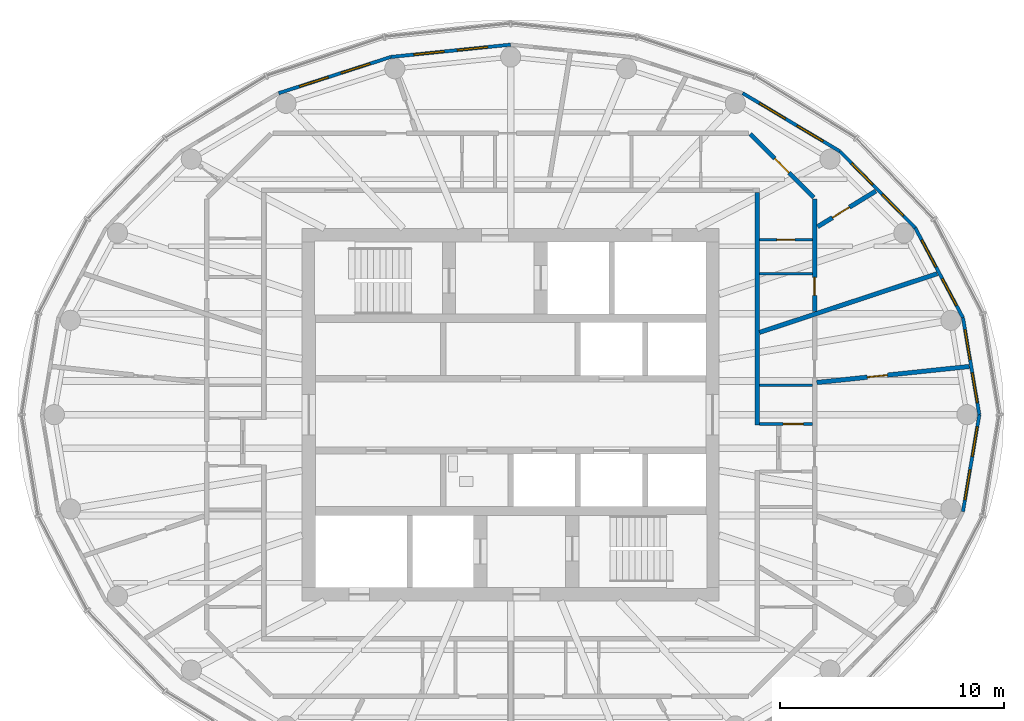
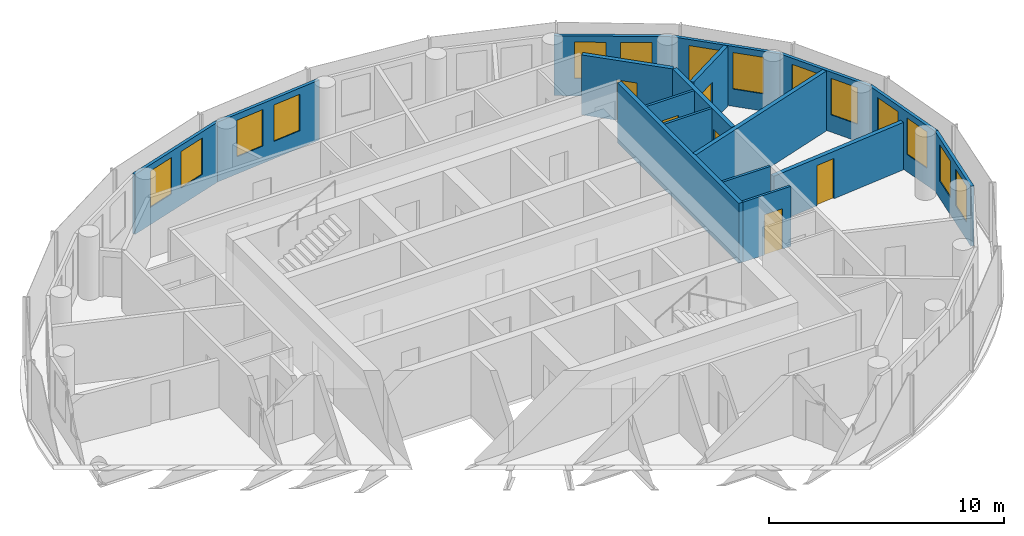
# One storey, part 9 of 12: 17 walls, 14 windows, 6 doors, 20 openings.
"""IFC4 building model written with IfcOpenShell, lengths in metres."""

from ifc_helpers import new_model, si_unit, direction, frame, frame_2d, origin, place, context, subcontext, project, spatial, rectangle, extrude, material, layer, layer_set, type_object, element, fill, save


model = new_model("IFC4")

# Units and contexts
model_context = context("Model", 3, precision=1e-05, world=origin(), true_north=direction((0.0, 1.0)))
body_context = subcontext(model_context, "Body", "Model", "MODEL_VIEW")
ifc_project = project(units=[si_unit("LENGTHUNIT", "METRE"), si_unit("AREAUNIT", "SQUARE_METRE"), si_unit("VOLUMEUNIT", "CUBIC_METRE"), si_unit("PLANEANGLEUNIT", "RADIAN"), si_unit("MASSUNIT", "GRAM", prefix="KILO")], contexts=[model_context])

# Site, building, storey
site_placement = place(None, origin())
site = spatial("IfcSite", under=ifc_project, at=site_placement, CompositionType="ELEMENT")
building_placement = place(site_placement, origin())
building = spatial("IfcBuilding", under=site, at=building_placement, Name="Hankou Lantern Tower", CompositionType="ELEMENT")
storey_placement = place(building_placement, frame((0.0, 0.0, 216.0)))
storey = spatial("IfcBuildingStorey", under=building, at=storey_placement, Name="L58", CompositionType="ELEMENT", Elevation=216.0)

# Wall, openings, windows
ifc_material_1 = material(Name="Aluminium spandrel panel on steel studs", Category="steel")
ifc_layer_1 = layer(ifc_material_1, 0.14990234375)
ifc_layer_set_1 = layer_set([ifc_layer_1], Name="Aluminium spandrel panel on steel studs")
wall_type_1 = type_object("IfcWallType", Name="EW1 INNER SKIN WALL 150", PredefinedType="ELEMENTEDWALL", material=ifc_layer_set_1)
wall_1_placement = place(storey_placement, frame((20.89990234375, 0.0, 0.0), z_axis=(0.0, 0.0, 1.0), x_axis=(-0.166538513568, 0.986034950445, 0.0)))
wall_1 = element("IfcWall", 1, at=wall_1_placement, inside=storey, type_object=wall_type_1, Name="Inner skin R01-R02 L58", PredefinedType="ELEMENTEDWALL", context=body_context, shape_type="SweptSolid", body=[
    extrude(rectangle(XDim=4.384765625, YDim=0.14990234375, at=frame_2d((2.1923828125, 0.0))), origin(), (0.0, 0.0, 1.0), 3.1201171875),
])
opening_1_placement = place(wall_1_placement, frame((0.54248046875, 0.0, 0.89990234375)))
opening_1 = element("IfcOpeningElement", 2, at=opening_1_placement, cuts=wall_1, Name="Opening W4", PredefinedType="OPENING", context=body_context, shape_type="SweptSolid", body=[
    extrude(rectangle(XDim=1.35009765625, YDim=1.89990234375, at=frame_2d((0.675048828125, 0.949951171875))), frame((0.0, 0.0849609375, 0.0), z_axis=(0.0, -1.0, 0.0), x_axis=(1.0, 0.0, 0.0)), (0.0, 0.0, 1.0), 0.169921875),
])
opening_2_placement = place(wall_1_placement, frame((2.492431640625, 0.0, 0.89990234375)))
opening_2 = element("IfcOpeningElement", 3, at=opening_2_placement, cuts=wall_1, Name="Opening W4", PredefinedType="OPENING", context=body_context, shape_type="SweptSolid", body=[
    extrude(rectangle(XDim=1.35009765625, YDim=1.89990234375, at=frame_2d((0.675048828125, 0.949951171875))), frame((0.0, 0.0849609375, 0.0), z_axis=(0.0, -1.0, 0.0), x_axis=(1.0, 0.0, 0.0)), (0.0, 0.0, 1.0), 0.169921875),
])
ifc_material_2 = material(Name="Aluminium framed double glazed window", Category="aluminium")
window_type = type_object("IfcWindowType", Name="W4 SUITE WINDOW 1350X1900", PartitioningType="DOUBLE_PANEL_VERTICAL", PredefinedType="WINDOW", material=ifc_material_2)
window_1_placement = place(opening_1_placement, origin())
window_1 = element("IfcWindow", 4, at=window_1_placement, inside=storey, type_object=window_type, Name="Window R01.1 L58", OverallHeight=1.89990234375, OverallWidth=1.35009765625, PartitioningType="SINGLE_PANEL", PredefinedType="WINDOW", context=body_context, shape_type="SweptSolid", body=[
    extrude(rectangle(XDim=1.35009765625, YDim=1.89990234375, at=frame_2d((0.675048828125, 0.949951171875))), frame((0.0, 0.030029296875, 0.0), z_axis=(0.0, -1.0, 0.0), x_axis=(1.0, 0.0, 0.0)), (0.0, 0.0, 1.0), 0.06005859375),
])
fill(opening_1, window_1)
window_2_placement = place(opening_2_placement, origin())
window_2 = element("IfcWindow", 5, at=window_2_placement, inside=storey, type_object=window_type, Name="Window R01.2 L58", OverallHeight=1.89990234375, OverallWidth=1.35009765625, PartitioningType="SINGLE_PANEL", PredefinedType="WINDOW", context=body_context, shape_type="SweptSolid", body=[
    extrude(rectangle(XDim=1.35009765625, YDim=1.89990234375, at=frame_2d((0.675048828125, 0.949951171875))), frame((0.0, 0.030029296875, 0.0), z_axis=(0.0, -1.0, 0.0), x_axis=(1.0, 0.0, 0.0)), (0.0, 0.0, 1.0), 0.06005859375),
])
fill(opening_2, window_2)

wall_2_placement = place(storey_placement, frame((20.169677734375, 4.323486328125, 0.0), z_axis=(0.0, 0.0, 1.0), x_axis=(-0.469256152955, 0.883062094597, 0.0)))
wall_2 = element("IfcWall", 6, at=wall_2_placement, inside=storey, type_object=wall_type_1, Name="Inner skin R02-R03 L58", PredefinedType="ELEMENTEDWALL", context=body_context, shape_type="SweptSolid", body=[
    extrude(rectangle(XDim=4.539306640625, YDim=0.14990234375, at=frame_2d((2.26953125, 0.0))), origin(), (0.0, 0.0, 1.0), 3.1201171875),
])
opening_3_placement = place(wall_2_placement, frame((0.61962890625, 0.0, 0.89990234375)))
opening_3 = element("IfcOpeningElement", 7, at=opening_3_placement, cuts=wall_2, Name="Opening W4", PredefinedType="OPENING", context=body_context, shape_type="SweptSolid", body=[
    extrude(rectangle(XDim=1.35009765625, YDim=1.89990234375, at=frame_2d((0.675048828125, 0.949951171875))), frame((0.0, 0.0849609375, 0.0), z_axis=(0.0, -1.0, 0.0), x_axis=(1.0, 0.0, 0.0)), (0.0, 0.0, 1.0), 0.169921875),
])
opening_4_placement = place(wall_2_placement, frame((2.569580078125, 0.0, 0.89990234375)))
opening_4 = element("IfcOpeningElement", 8, at=opening_4_placement, cuts=wall_2, Name="Opening W4", PredefinedType="OPENING", context=body_context, shape_type="SweptSolid", body=[
    extrude(rectangle(XDim=1.35009765625, YDim=1.89990234375, at=frame_2d((0.675048828125, 0.949951171875))), frame((0.0, 0.0849609375, 0.0), z_axis=(0.0, -1.0, 0.0), x_axis=(1.0, 0.0, 0.0)), (0.0, 0.0, 1.0), 0.169921875),
])
window_3_placement = place(opening_3_placement, origin())
window_3 = element("IfcWindow", 9, at=window_3_placement, inside=storey, type_object=window_type, Name="Window R02.1 L58", OverallHeight=1.89990234375, OverallWidth=1.35009765625, PartitioningType="SINGLE_PANEL", PredefinedType="WINDOW", context=body_context, shape_type="SweptSolid", body=[
    extrude(rectangle(XDim=1.35009765625, YDim=1.89990234375, at=frame_2d((0.675048828125, 0.949951171875))), frame((0.0, 0.030029296875, 0.0), z_axis=(0.0, -1.0, 0.0), x_axis=(1.0, 0.0, 0.0)), (0.0, 0.0, 1.0), 0.06005859375),
])
fill(opening_3, window_3)
window_4_placement = place(opening_4_placement, origin())
window_4 = element("IfcWindow", 10, at=window_4_placement, inside=storey, type_object=window_type, Name="Window R02.2 L58", OverallHeight=1.89990234375, OverallWidth=1.35009765625, PartitioningType="SINGLE_PANEL", PredefinedType="WINDOW", context=body_context, shape_type="SweptSolid", body=[
    extrude(rectangle(XDim=1.35009765625, YDim=1.89990234375, at=frame_2d((0.675048828125, 0.949951171875))), frame((0.0, 0.030029296875, 0.0), z_axis=(0.0, -1.0, 0.0), x_axis=(1.0, 0.0, 0.0)), (0.0, 0.0, 1.0), 0.06005859375),
])
fill(opening_4, window_4)

wall_3_placement = place(storey_placement, frame((18.03955078125, 8.33203125, 0.0), z_axis=(0.0, 0.0, 1.0), x_axis=(-0.701527379618, 0.712642501993, 0.0)))
wall_3 = element("IfcWall", 11, at=wall_3_placement, inside=storey, type_object=wall_type_1, Name="Inner skin R03-R04 L58", PredefinedType="ELEMENTEDWALL", context=body_context, shape_type="SweptSolid", body=[
    extrude(rectangle(XDim=4.788330078125, YDim=0.14990234375, at=frame_2d((2.39404296875, 0.0))), origin(), (0.0, 0.0, 1.0), 3.1201171875),
])
opening_5_placement = place(wall_3_placement, frame((0.744140625, 0.0, 0.89990234375)))
opening_5 = element("IfcOpeningElement", 12, at=opening_5_placement, cuts=wall_3, Name="Opening W4", PredefinedType="OPENING", context=body_context, shape_type="SweptSolid", body=[
    extrude(rectangle(XDim=1.35009765625, YDim=1.89990234375, at=frame_2d((0.675048828125, 0.949951171875))), frame((0.0, 0.0849609375, 0.0), z_axis=(0.0, -1.0, 0.0), x_axis=(1.0, 0.0, 0.0)), (0.0, 0.0, 1.0), 0.169921875),
])
opening_6_placement = place(wall_3_placement, frame((2.694091796875, 0.0, 0.89990234375)))
opening_6 = element("IfcOpeningElement", 13, at=opening_6_placement, cuts=wall_3, Name="Opening W4", PredefinedType="OPENING", context=body_context, shape_type="SweptSolid", body=[
    extrude(rectangle(XDim=1.35009765625, YDim=1.89990234375, at=frame_2d((0.675048828125, 0.949951171875))), frame((0.0, 0.0849609375, 0.0), z_axis=(0.0, -1.0, 0.0), x_axis=(1.0, 0.0, 0.0)), (0.0, 0.0, 1.0), 0.169921875),
])
window_5_placement = place(opening_5_placement, origin())
window_5 = element("IfcWindow", 14, at=window_5_placement, inside=storey, type_object=window_type, Name="Window R03.1 L58", OverallHeight=1.89990234375, OverallWidth=1.35009765625, PartitioningType="SINGLE_PANEL", PredefinedType="WINDOW", context=body_context, shape_type="SweptSolid", body=[
    extrude(rectangle(XDim=1.35009765625, YDim=1.89990234375, at=frame_2d((0.675048828125, 0.949951171875))), frame((0.0, 0.030029296875, 0.0), z_axis=(0.0, -1.0, 0.0), x_axis=(1.0, 0.0, 0.0)), (0.0, 0.0, 1.0), 0.06005859375),
])
fill(opening_5, window_5)
window_6_placement = place(opening_6_placement, origin())
window_6 = element("IfcWindow", 15, at=window_6_placement, inside=storey, type_object=window_type, Name="Window R03.2 L58", OverallHeight=1.89990234375, OverallWidth=1.35009765625, PartitioningType="SINGLE_PANEL", PredefinedType="WINDOW", context=body_context, shape_type="SweptSolid", body=[
    extrude(rectangle(XDim=1.35009765625, YDim=1.89990234375, at=frame_2d((0.675048828125, 0.949951171875))), frame((0.0, 0.030029296875, 0.0), z_axis=(0.0, -1.0, 0.0), x_axis=(1.0, 0.0, 0.0)), (0.0, 0.0, 1.0), 0.06005859375),
])
fill(opening_6, window_6)

wall_4_placement = place(storey_placement, frame((14.680419921875, 11.744384765625, 0.0), z_axis=(0.0, 0.0, 1.0), x_axis=(-0.85822150553, 0.513279502265, 0.0)))
wall_4 = element("IfcWall", 16, at=wall_4_placement, inside=storey, type_object=wall_type_1, Name="Inner skin R04-R05 L58", PredefinedType="ELEMENTEDWALL", context=body_context, shape_type="SweptSolid", body=[
    extrude(rectangle(XDim=5.050048828125, YDim=0.14990234375, at=frame_2d((2.52490234375, 0.0))), origin(), (0.0, 0.0, 1.0), 3.1201171875),
])
opening_7_placement = place(wall_4_placement, frame((0.875, 0.0, 0.89990234375)))
opening_7 = element("IfcOpeningElement", 17, at=opening_7_placement, cuts=wall_4, Name="Opening W4", PredefinedType="OPENING", context=body_context, shape_type="SweptSolid", body=[
    extrude(rectangle(XDim=1.35009765625, YDim=1.89990234375, at=frame_2d((0.675048828125, 0.949951171875))), frame((0.0, 0.0849609375, 0.0), z_axis=(0.0, -1.0, 0.0), x_axis=(1.0, 0.0, 0.0)), (0.0, 0.0, 1.0), 0.169921875),
])
opening_8_placement = place(wall_4_placement, frame((2.824951171875, 0.0, 0.89990234375)))
opening_8 = element("IfcOpeningElement", 18, at=opening_8_placement, cuts=wall_4, Name="Opening W4", PredefinedType="OPENING", context=body_context, shape_type="SweptSolid", body=[
    extrude(rectangle(XDim=1.35009765625, YDim=1.89990234375, at=frame_2d((0.675048828125, 0.949951171875))), frame((0.0, 0.0849609375, 0.0), z_axis=(0.0, -1.0, 0.0), x_axis=(1.0, 0.0, 0.0)), (0.0, 0.0, 1.0), 0.169921875),
])
window_7_placement = place(opening_7_placement, origin())
window_7 = element("IfcWindow", 19, at=window_7_placement, inside=storey, type_object=window_type, Name="Window R04.1 L58", OverallHeight=1.89990234375, OverallWidth=1.35009765625, PartitioningType="SINGLE_PANEL", PredefinedType="WINDOW", context=body_context, shape_type="SweptSolid", body=[
    extrude(rectangle(XDim=1.35009765625, YDim=1.89990234375, at=frame_2d((0.675048828125, 0.949951171875))), frame((0.0, 0.030029296875, 0.0), z_axis=(0.0, -1.0, 0.0), x_axis=(1.0, 0.0, 0.0)), (0.0, 0.0, 1.0), 0.06005859375),
])
fill(opening_7, window_7)
window_8_placement = place(opening_8_placement, origin())
window_8 = element("IfcWindow", 20, at=window_8_placement, inside=storey, type_object=window_type, Name="Window R04.2 L58", OverallHeight=1.89990234375, OverallWidth=1.35009765625, PartitioningType="SINGLE_PANEL", PredefinedType="WINDOW", context=body_context, shape_type="SweptSolid", body=[
    extrude(rectangle(XDim=1.35009765625, YDim=1.89990234375, at=frame_2d((0.675048828125, 0.949951171875))), frame((0.0, 0.030029296875, 0.0), z_axis=(0.0, -1.0, 0.0), x_axis=(1.0, 0.0, 0.0)), (0.0, 0.0, 1.0), 0.06005859375),
])
fill(opening_8, window_8)

wall_5_placement = place(storey_placement, frame((0.0, 16.5, 0.0), z_axis=(0.0, 0.0, 1.0), x_axis=(-0.994774574972, -0.102095763818, 0.0)))
wall_5 = element("IfcWall", 21, at=wall_5_placement, inside=storey, type_object=wall_type_1, Name="Inner skin R07-R08 L58", PredefinedType="ELEMENTEDWALL", context=body_context, shape_type="SweptSolid", body=[
    extrude(rectangle(XDim=5.370849609375, YDim=0.14990234375, at=frame_2d((2.685546875, 0.0))), origin(), (0.0, 0.0, 1.0), 3.1201171875),
])
opening_9_placement = place(wall_5_placement, frame((1.035400390625, 0.0, 0.89990234375)))
opening_9 = element("IfcOpeningElement", 22, at=opening_9_placement, cuts=wall_5, Name="Opening W4", PredefinedType="OPENING", context=body_context, shape_type="SweptSolid", body=[
    extrude(rectangle(XDim=1.35009765625, YDim=1.89990234375, at=frame_2d((0.675048828125, 0.949951171875))), frame((0.0, 0.0849609375, 0.0), z_axis=(0.0, -1.0, 0.0), x_axis=(1.0, 0.0, 0.0)), (0.0, 0.0, 1.0), 0.169921875),
])
opening_10_placement = place(wall_5_placement, frame((2.9853515625, 0.0, 0.89990234375)))
opening_10 = element("IfcOpeningElement", 23, at=opening_10_placement, cuts=wall_5, Name="Opening W4", PredefinedType="OPENING", context=body_context, shape_type="SweptSolid", body=[
    extrude(rectangle(XDim=1.35009765625, YDim=1.89990234375, at=frame_2d((0.675048828125, 0.949951171875))), frame((0.0, 0.0849609375, 0.0), z_axis=(0.0, -1.0, 0.0), x_axis=(1.0, 0.0, 0.0)), (0.0, 0.0, 1.0), 0.169921875),
])
window_9_placement = place(opening_9_placement, origin())
window_9 = element("IfcWindow", 24, at=window_9_placement, inside=storey, type_object=window_type, Name="Window R07.1 L58", OverallHeight=1.89990234375, OverallWidth=1.35009765625, PartitioningType="SINGLE_PANEL", PredefinedType="WINDOW", context=body_context, shape_type="SweptSolid", body=[
    extrude(rectangle(XDim=1.35009765625, YDim=1.89990234375, at=frame_2d((0.675048828125, 0.949951171875))), frame((0.0, 0.030029296875, 0.0), z_axis=(0.0, -1.0, 0.0), x_axis=(1.0, 0.0, 0.0)), (0.0, 0.0, 1.0), 0.06005859375),
])
fill(opening_9, window_9)
window_10_placement = place(opening_10_placement, origin())
window_10 = element("IfcWindow", 25, at=window_10_placement, inside=storey, type_object=window_type, Name="Window R07.2 L58", OverallHeight=1.89990234375, OverallWidth=1.35009765625, PartitioningType="SINGLE_PANEL", PredefinedType="WINDOW", context=body_context, shape_type="SweptSolid", body=[
    extrude(rectangle(XDim=1.35009765625, YDim=1.89990234375, at=frame_2d((0.675048828125, 0.949951171875))), frame((0.0, 0.030029296875, 0.0), z_axis=(0.0, -1.0, 0.0), x_axis=(1.0, 0.0, 0.0)), (0.0, 0.0, 1.0), 0.06005859375),
])
fill(opening_10, window_10)

wall_6_placement = place(storey_placement, frame((-5.3427734375, 15.95166015625, 0.0), z_axis=(0.0, 0.0, 1.0), x_axis=(-0.951644702515, -0.307200846638, 0.0)))
wall_6 = element("IfcWall", 26, at=wall_6_placement, inside=storey, type_object=wall_type_1, Name="Inner skin R08-R09 L58", PredefinedType="ELEMENTEDWALL", context=body_context, shape_type="SweptSolid", body=[
    extrude(rectangle(XDim=5.2578125, YDim=0.14990234375, at=frame_2d((2.62890625, 0.0))), origin(), (0.0, 0.0, 1.0), 3.1201171875),
])
opening_11_placement = place(wall_6_placement, frame((0.97900390625, 0.0, 0.89990234375)))
opening_11 = element("IfcOpeningElement", 27, at=opening_11_placement, cuts=wall_6, Name="Opening W4", PredefinedType="OPENING", context=body_context, shape_type="SweptSolid", body=[
    extrude(rectangle(XDim=1.35009765625, YDim=1.89990234375, at=frame_2d((0.675048828125, 0.949951171875))), frame((0.0, 0.0849609375, 0.0), z_axis=(0.0, -1.0, 0.0), x_axis=(1.0, 0.0, 0.0)), (0.0, 0.0, 1.0), 0.169921875),
])
opening_12_placement = place(wall_6_placement, frame((2.928955078125, 0.0, 0.89990234375)))
opening_12 = element("IfcOpeningElement", 28, at=opening_12_placement, cuts=wall_6, Name="Opening W4", PredefinedType="OPENING", context=body_context, shape_type="SweptSolid", body=[
    extrude(rectangle(XDim=1.35009765625, YDim=1.89990234375, at=frame_2d((0.675048828125, 0.949951171875))), frame((0.0, 0.0849609375, 0.0), z_axis=(0.0, -1.0, 0.0), x_axis=(1.0, 0.0, 0.0)), (0.0, 0.0, 1.0), 0.169921875),
])
window_11_placement = place(opening_11_placement, origin())
window_11 = element("IfcWindow", 29, at=window_11_placement, inside=storey, type_object=window_type, Name="Window R08.1 L58", OverallHeight=1.89990234375, OverallWidth=1.35009765625, PartitioningType="SINGLE_PANEL", PredefinedType="WINDOW", context=body_context, shape_type="SweptSolid", body=[
    extrude(rectangle(XDim=1.35009765625, YDim=1.89990234375, at=frame_2d((0.675048828125, 0.949951171875))), frame((0.0, 0.030029296875, 0.0), z_axis=(0.0, -1.0, 0.0), x_axis=(1.0, 0.0, 0.0)), (0.0, 0.0, 1.0), 0.06005859375),
])
fill(opening_11, window_11)
window_12_placement = place(opening_12_placement, origin())
window_12 = element("IfcWindow", 30, at=window_12_placement, inside=storey, type_object=window_type, Name="Window R08.2 L58", OverallHeight=1.89990234375, OverallWidth=1.35009765625, PartitioningType="SINGLE_PANEL", PredefinedType="WINDOW", context=body_context, shape_type="SweptSolid", body=[
    extrude(rectangle(XDim=1.35009765625, YDim=1.89990234375, at=frame_2d((0.675048828125, 0.949951171875))), frame((0.0, 0.030029296875, 0.0), z_axis=(0.0, -1.0, 0.0), x_axis=(1.0, 0.0, 0.0)), (0.0, 0.0, 1.0), 0.06005859375),
])
fill(opening_12, window_12)

wall_7_placement = place(storey_placement, frame((20.169677734375, -4.323486328125, 0.0), z_axis=(0.0, 0.0, 1.0), x_axis=(0.166538513568, 0.986034950445, 0.0)))
wall_7 = element("IfcWall", 31, at=wall_7_placement, inside=storey, type_object=wall_type_1, Name="Inner skin R24-R01 L58", PredefinedType="ELEMENTEDWALL", context=body_context, shape_type="SweptSolid", body=[
    extrude(rectangle(XDim=4.384765625, YDim=0.14990234375, at=frame_2d((2.1923828125, 0.0))), origin(), (0.0, 0.0, 1.0), 3.1201171875),
])
opening_13_placement = place(wall_7_placement, frame((0.54248046875, 0.0, 0.89990234375)))
opening_13 = element("IfcOpeningElement", 32, at=opening_13_placement, cuts=wall_7, Name="Opening W4", PredefinedType="OPENING", context=body_context, shape_type="SweptSolid", body=[
    extrude(rectangle(XDim=1.35009765625, YDim=1.89990234375, at=frame_2d((0.675048828125, 0.949951171875))), frame((0.0, 0.0849609375, 0.0), z_axis=(0.0, -1.0, 0.0), x_axis=(1.0, 0.0, 0.0)), (0.0, 0.0, 1.0), 0.169921875),
])
opening_14_placement = place(wall_7_placement, frame((2.492431640625, 0.0, 0.89990234375)))
opening_14 = element("IfcOpeningElement", 33, at=opening_14_placement, cuts=wall_7, Name="Opening W4", PredefinedType="OPENING", context=body_context, shape_type="SweptSolid", body=[
    extrude(rectangle(XDim=1.35009765625, YDim=1.89990234375, at=frame_2d((0.675048828125, 0.949951171875))), frame((0.0, 0.0849609375, 0.0), z_axis=(0.0, -1.0, 0.0), x_axis=(1.0, 0.0, 0.0)), (0.0, 0.0, 1.0), 0.169921875),
])
window_13_placement = place(opening_13_placement, origin())
window_13 = element("IfcWindow", 34, at=window_13_placement, inside=storey, type_object=window_type, Name="Window R24.1 L58", OverallHeight=1.89990234375, OverallWidth=1.35009765625, PartitioningType="SINGLE_PANEL", PredefinedType="WINDOW", context=body_context, shape_type="SweptSolid", body=[
    extrude(rectangle(XDim=1.35009765625, YDim=1.89990234375, at=frame_2d((0.675048828125, 0.949951171875))), frame((0.0, 0.030029296875, 0.0), z_axis=(0.0, -1.0, 0.0), x_axis=(1.0, 0.0, 0.0)), (0.0, 0.0, 1.0), 0.06005859375),
])
fill(opening_13, window_13)
window_14_placement = place(opening_14_placement, origin())
window_14 = element("IfcWindow", 35, at=window_14_placement, inside=storey, type_object=window_type, Name="Window R24.2 L58", OverallHeight=1.89990234375, OverallWidth=1.35009765625, PartitioningType="SINGLE_PANEL", PredefinedType="WINDOW", context=body_context, shape_type="SweptSolid", body=[
    extrude(rectangle(XDim=1.35009765625, YDim=1.89990234375, at=frame_2d((0.675048828125, 0.949951171875))), frame((0.0, 0.030029296875, 0.0), z_axis=(0.0, -1.0, 0.0), x_axis=(1.0, 0.0, 0.0)), (0.0, 0.0, 1.0), 0.06005859375),
])
fill(opening_14, window_14)

# Walls
ifc_material_3 = material(Name="Masonry lightweight concrete block", Category="masonry")
ifc_layer_2 = layer(ifc_material_3, 0.199951171875)
ifc_layer_set_2 = layer_set([ifc_layer_2], Name="Masonry lightweight concrete block")
wall_type_2 = type_object("IfcWallType", Name="IW1 GUEST ROOM PARTY WALL 200", PredefinedType="PARTITIONING", material=ifc_layer_set_2)
wall_8_placement = place(storey_placement, frame((11.10009765625, 3.668701171875, 0.0), z_axis=(0.0, 0.0, 1.0), x_axis=(0.949476668397, 0.313837627079, 0.0)))
element("IfcWall", 36, at=wall_8_placement, inside=storey, type_object=wall_type_2, Name="Party wall R02-R03", PredefinedType="PARTITIONING", context=body_context, shape_type="SweptSolid", body=[
    extrude(rectangle(XDim=8.338623046875, YDim=0.199951171875, at=frame_2d((4.16943359375, 0.0))), origin(), (0.0, 0.0, 1.0), 3.1201171875),
])
ifc_material_4 = material(Name="Masonry lightweight concrete block", Category="masonry")
ifc_layer_3 = layer(ifc_material_4, 0.199951171875)
ifc_layer_set_3 = layer_set([ifc_layer_3], Name="Masonry lightweight concrete block")
wall_type_3 = type_object("IfcWallType", Name="IW2 CORRIDOR WALL 200", PredefinedType="PARTITIONING", material=ifc_layer_set_3)
wall_9_placement = place(storey_placement, frame((11.0, -0.46435546875, 0.0), z_axis=(0.0, 0.0, 1.0), x_axis=(0.0, 1.0, 0.0)))
element("IfcWall", 37, at=wall_9_placement, inside=storey, type_object=wall_type_3, Name="Corridor wall east", PredefinedType="PARTITIONING", context=body_context, shape_type="SweptSolid", body=[
    extrude(rectangle(XDim=10.3642578125, YDim=0.199951171875, at=frame_2d((5.18212890625, 0.0))), origin(), (0.0, 0.0, 1.0), 3.1201171875),
])
ifc_material_5 = material(Name="Masonry lightweight concrete block", Category="masonry")
ifc_layer_4 = layer(ifc_material_5, 0.1201171875)
ifc_layer_set_4 = layer_set([ifc_layer_4], Name="Masonry lightweight concrete block")
wall_type_4 = type_object("IfcWallType", Name="IW3 BATHROOM WALL 120", PredefinedType="PARTITIONING", material=ifc_layer_set_4)
wall_10_placement = place(storey_placement, frame((11.10009765625, 6.28369140625, 0.0), z_axis=(0.0, 0.0, 1.0), x_axis=(1.0, 0.0, 0.0)))
element("IfcWall", 38, at=wall_10_placement, inside=storey, type_object=wall_type_4, Name="Box wall 5801 1", PredefinedType="PARTITIONING", context=body_context, shape_type="SweptSolid", body=[
    extrude(rectangle(XDim=2.349853515625, YDim=0.1201171875, at=frame_2d((1.1748046875, 0.0))), origin(), (0.0, 0.0, 1.0), 3.1201171875),
])

# Wall, opening, door
wall_11_placement = place(storey_placement, frame((11.10009765625, 7.80517578125, 0.0), z_axis=(0.0, 0.0, 1.0), x_axis=(1.0, 0.0, 0.0)))
wall_11 = element("IfcWall", 39, at=wall_11_placement, inside=storey, type_object=wall_type_4, Name="Box wall 5801 2", PredefinedType="PARTITIONING", context=body_context, shape_type="SweptSolid", body=[
    extrude(rectangle(XDim=2.349853515625, YDim=0.1201171875, at=frame_2d((1.1748046875, 0.0))), origin(), (0.0, 0.0, 1.0), 3.1201171875),
])
opening_15_placement = place(wall_11_placement, frame((0.77001953125, 0.0, 0.0)))
opening_15 = element("IfcOpeningElement", 40, at=opening_15_placement, cuts=wall_11, Name="Opening D3", PredefinedType="OPENING", context=body_context, shape_type="SweptSolid", body=[
    extrude(rectangle(XDim=0.800048828125, YDim=2.10009765625, at=frame_2d((0.39990234375, 1.050048828125))), frame((0.0, 0.070068359375, 0.0), z_axis=(0.0, -1.0, 0.0), x_axis=(1.0, 0.0, 0.0)), (0.0, 0.0, 1.0), 0.14013671875),
])
ifc_material_6 = material(Name="Timber door leaf", Category="wood")
door_type_1 = type_object("IfcDoorType", Name="D3 BATHROOM DOOR 800X2100", OperationType="SINGLE_SWING_LEFT", PredefinedType="DOOR", material=ifc_material_6)
door_1_placement = place(opening_15_placement, origin())
door_1 = element("IfcDoor", 41, at=door_1_placement, inside=storey, type_object=door_type_1, Name="Family suite 5801 guest WC door", OperationType="SINGLE_SWING_LEFT", OverallHeight=2.10009765625, OverallWidth=0.800048828125, PredefinedType="DOOR", context=body_context, shape_type="SweptSolid", body=[
    extrude(rectangle(XDim=0.800048828125, YDim=2.10009765625, at=frame_2d((0.39990234375, 1.050048828125))), frame((0.0, 0.02490234375, 0.0), z_axis=(0.0, -1.0, 0.0), x_axis=(1.0, 0.0, 0.0)), (0.0, 0.0, 1.0), 0.050048828125),
])
fill(opening_15, door_1)

wall_12_placement = place(storey_placement, frame((11.10009765625, -0.414306640625, 0.0), z_axis=(0.0, 0.0, 1.0), x_axis=(1.0, 0.0, 0.0)))
wall_12 = element("IfcWall", 42, at=wall_12_placement, inside=storey, type_object=wall_type_4, Name="Box wall 5806 3", PredefinedType="PARTITIONING", context=body_context, shape_type="SweptSolid", body=[
    extrude(rectangle(XDim=2.349853515625, YDim=0.1201171875, at=frame_2d((1.1748046875, 0.0))), origin(), (0.0, 0.0, 1.0), 3.1201171875),
])
opening_16_placement = place(wall_12_placement, frame((1.050048828125, 0.0, 0.0)))
opening_16 = element("IfcOpeningElement", 43, at=opening_16_placement, cuts=wall_12, Name="Opening D27", PredefinedType="OPENING", context=body_context, shape_type="SweptSolid", body=[
    extrude(rectangle(XDim=0.89990234375, YDim=2.10009765625, at=frame_2d((0.449951171875, 1.050048828125))), frame((0.0, 0.070068359375, 0.0), z_axis=(0.0, -1.0, 0.0), x_axis=(1.0, 0.0, 0.0)), (0.0, 0.0, 1.0), 0.14013671875),
])
ifc_material_7 = material(Name="Timber door leaf", Category="wood")
door_type_2 = type_object("IfcDoorType", Name="D27 INTERNAL DOOR 900X2100", OperationType="SINGLE_SWING_LEFT", PredefinedType="DOOR", material=ifc_material_7)
door_2_placement = place(opening_16_placement, origin())
door_2 = element("IfcDoor", 44, at=door_2_placement, inside=storey, type_object=door_type_2, Name="Family suite 5806 walk-in wardrobe door", OperationType="SINGLE_SWING_RIGHT", OverallHeight=2.10009765625, OverallWidth=0.89990234375, PredefinedType="DOOR", context=body_context, shape_type="SweptSolid", body=[
    extrude(rectangle(XDim=0.89990234375, YDim=2.10009765625, at=frame_2d((0.449951171875, 1.050048828125))), frame((0.0, 0.02490234375, 0.0), z_axis=(0.0, -1.0, 0.0), x_axis=(1.0, 0.0, 0.0)), (0.0, 0.0, 1.0), 0.050048828125),
])
fill(opening_16, door_2)

# Wall
wall_13_placement = place(storey_placement, frame((11.10009765625, 1.3056640625, 0.0), z_axis=(0.0, 0.0, 1.0), x_axis=(1.0, 0.0, 0.0)))
element("IfcWall", 45, at=wall_13_placement, inside=storey, type_object=wall_type_4, Name="Box wall 5806 4", PredefinedType="PARTITIONING", context=body_context, shape_type="SweptSolid", body=[
    extrude(rectangle(XDim=2.349853515625, YDim=0.1201171875, at=frame_2d((1.1748046875, 0.0))), origin(), (0.0, 0.0, 1.0), 3.1201171875),
])

# Wall, opening, door
ifc_material_8 = material(Name="Masonry lightweight concrete block", Category="masonry")
ifc_layer_5 = layer(ifc_material_8, 0.199951171875)
ifc_layer_set_5 = layer_set([ifc_layer_5], Name="Masonry lightweight concrete block")
wall_type_5 = type_object("IfcWallType", Name="IW6 SUITE PARTITION 200", PredefinedType="PARTITIONING", material=ifc_layer_set_5)
wall_14_placement = place(storey_placement, frame((13.550048828125, 4.599853515625, 0.0), z_axis=(0.0, 0.0, 1.0), x_axis=(0.0, 1.0, 0.0)))
wall_14 = element("IfcWall", 46, at=wall_14_placement, inside=storey, type_object=wall_type_5, Name="Suite foyer wall 5801", PredefinedType="PARTITIONING", context=body_context, shape_type="SweptSolid", body=[
    extrude(rectangle(XDim=5.0087890625, YDim=0.199951171875, at=frame_2d((2.50439453125, 0.0))), origin(), (0.0, 0.0, 1.0), 3.1201171875),
])
opening_17_placement = place(wall_14_placement, frame((0.7236328125, 0.0, 0.0)))
opening_17 = element("IfcOpeningElement", 47, at=opening_17_placement, cuts=wall_14, Name="Opening D3", PredefinedType="OPENING", context=body_context, shape_type="SweptSolid", body=[
    extrude(rectangle(XDim=0.800048828125, YDim=2.10009765625, at=frame_2d((0.39990234375, 1.050048828125))), frame((0.0, 0.10986328125, 0.0), z_axis=(0.0, -1.0, 0.0), x_axis=(1.0, 0.0, 0.0)), (0.0, 0.0, 1.0), 0.219970703125),
])
door_3_placement = place(opening_17_placement, origin())
door_3 = element("IfcDoor", 48, at=door_3_placement, inside=storey, type_object=door_type_1, Name="Family suite 5801 bathroom door", OperationType="SINGLE_SWING_RIGHT", OverallHeight=2.10009765625, OverallWidth=0.800048828125, PredefinedType="DOOR", context=body_context, shape_type="SweptSolid", body=[
    extrude(rectangle(XDim=0.800048828125, YDim=2.10009765625, at=frame_2d((0.39990234375, 1.050048828125))), frame((0.0, 0.02490234375, 0.0), z_axis=(0.0, -1.0, 0.0), x_axis=(1.0, 0.0, 0.0)), (0.0, 0.0, 1.0), 0.050048828125),
])
fill(opening_17, door_3)

wall_15_placement = place(storey_placement, frame((13.520751953125, 9.67919921875, 0.0), z_axis=(0.0, 0.0, 1.0), x_axis=(-0.707106781187, 0.707106781187, 0.0)))
wall_15 = element("IfcWall", 49, at=wall_15_placement, inside=storey, type_object=wall_type_5, Name="Suite foyer wall 5801", PredefinedType="PARTITIONING", context=body_context, shape_type="SweptSolid", body=[
    extrude(rectangle(XDim=4.0185546875, YDim=0.199951171875, at=frame_2d((2.00927734375, 0.0))), origin(), (0.0, 0.0, 1.0), 3.1201171875),
])
opening_18_placement = place(wall_15_placement, frame((1.570068359375, 0.0, 0.0)))
opening_18 = element("IfcOpeningElement", 50, at=opening_18_placement, cuts=wall_15, Name="Opening D27", PredefinedType="OPENING", context=body_context, shape_type="SweptSolid", body=[
    extrude(rectangle(XDim=0.89990234375, YDim=2.10009765625, at=frame_2d((0.449951171875, 1.050048828125))), frame((0.0, 0.10986328125, 0.0), z_axis=(0.0, -1.0, 0.0), x_axis=(1.0, 0.0, 0.0)), (0.0, 0.0, 1.0), 0.219970703125),
])
door_4_placement = place(opening_18_placement, origin())
door_4 = element("IfcDoor", 51, at=door_4_placement, inside=storey, type_object=door_type_2, Name="Family suite 5801 living room door", OperationType="SINGLE_SWING_RIGHT", OverallHeight=2.10009765625, OverallWidth=0.89990234375, PredefinedType="DOOR", context=body_context, shape_type="SweptSolid", body=[
    extrude(rectangle(XDim=0.89990234375, YDim=2.10009765625, at=frame_2d((0.449951171875, 1.050048828125))), frame((0.0, 0.02490234375, 0.0), z_axis=(0.0, -1.0, 0.0), x_axis=(1.0, 0.0, 0.0)), (0.0, 0.0, 1.0), 0.050048828125),
])
fill(opening_18, door_4)

wall_16_placement = place(storey_placement, frame((13.6884765625, 8.38232421875, 0.0), z_axis=(0.0, 0.0, 1.0), x_axis=(0.852783459586, 0.522264656144, 0.0)))
wall_16 = element("IfcWall", 52, at=wall_16_placement, inside=storey, type_object=wall_type_5, Name="Suite partition R03-R04", PredefinedType="PARTITIONING", context=body_context, shape_type="SweptSolid", body=[
    extrude(rectangle(XDim=3.041748046875, YDim=0.199951171875, at=frame_2d((1.52099609375, 0.0))), origin(), (0.0, 0.0, 1.0), 3.1201171875),
])
opening_19_placement = place(wall_16_placement, frame((0.77001953125, 0.0, 0.0)))
opening_19 = element("IfcOpeningElement", 53, at=opening_19_placement, cuts=wall_16, Name="Opening D27", PredefinedType="OPENING", context=body_context, shape_type="SweptSolid", body=[
    extrude(rectangle(XDim=0.89990234375, YDim=2.10009765625, at=frame_2d((0.449951171875, 1.050048828125))), frame((0.0, 0.10986328125, 0.0), z_axis=(0.0, -1.0, 0.0), x_axis=(1.0, 0.0, 0.0)), (0.0, 0.0, 1.0), 0.219970703125),
])
door_5_placement = place(opening_19_placement, origin())
door_5 = element("IfcDoor", 54, at=door_5_placement, inside=storey, type_object=door_type_2, Name="Family suite 5801 bedroom door", OperationType="SINGLE_SWING_LEFT", OverallHeight=2.10009765625, OverallWidth=0.89990234375, PredefinedType="DOOR", context=body_context, shape_type="SweptSolid", body=[
    extrude(rectangle(XDim=0.89990234375, YDim=2.10009765625, at=frame_2d((0.449951171875, 1.050048828125))), frame((0.0, 0.02490234375, 0.0), z_axis=(0.0, -1.0, 0.0), x_axis=(1.0, 0.0, 0.0)), (0.0, 0.0, 1.0), 0.050048828125),
])
fill(opening_19, door_5)

wall_17_placement = place(storey_placement, frame((13.64990234375, 1.433837890625, 0.0), z_axis=(0.0, 0.0, 1.0), x_axis=(0.994526954268, 0.10448031984, 0.0)))
wall_17 = element("IfcWall", 55, at=wall_17_placement, inside=storey, type_object=wall_type_5, Name="Suite partition R01-R02", PredefinedType="PARTITIONING", context=body_context, shape_type="SweptSolid", body=[
    extrude(rectangle(XDim=6.837158203125, YDim=0.199951171875, at=frame_2d((3.41845703125, 0.0))), origin(), (0.0, 0.0, 1.0), 2.469970703125),
])
opening_20_placement = place(wall_17_placement, frame((2.27001953125, 0.0, 0.0)))
opening_20 = element("IfcOpeningElement", 56, at=opening_20_placement, cuts=wall_17, Name="Opening D27", PredefinedType="OPENING", context=body_context, shape_type="SweptSolid", body=[
    extrude(rectangle(XDim=0.89990234375, YDim=2.10009765625, at=frame_2d((0.449951171875, 1.050048828125))), frame((0.0, 0.10986328125, 0.0), z_axis=(0.0, -1.0, 0.0), x_axis=(1.0, 0.0, 0.0)), (0.0, 0.0, 1.0), 0.219970703125),
])
door_6_placement = place(opening_20_placement, origin())
door_6 = element("IfcDoor", 57, at=door_6_placement, inside=storey, type_object=door_type_2, Name="Family suite 5806 second bedroom door", OperationType="SINGLE_SWING_LEFT", OverallHeight=2.10009765625, OverallWidth=0.89990234375, PredefinedType="DOOR", context=body_context, shape_type="SweptSolid", body=[
    extrude(rectangle(XDim=0.89990234375, YDim=2.10009765625, at=frame_2d((0.449951171875, 1.050048828125))), frame((0.0, 0.02490234375, 0.0), z_axis=(0.0, -1.0, 0.0), x_axis=(1.0, 0.0, 0.0)), (0.0, 0.0, 1.0), 0.050048828125),
])
fill(opening_20, door_6)

save(model, "model.ifc")
